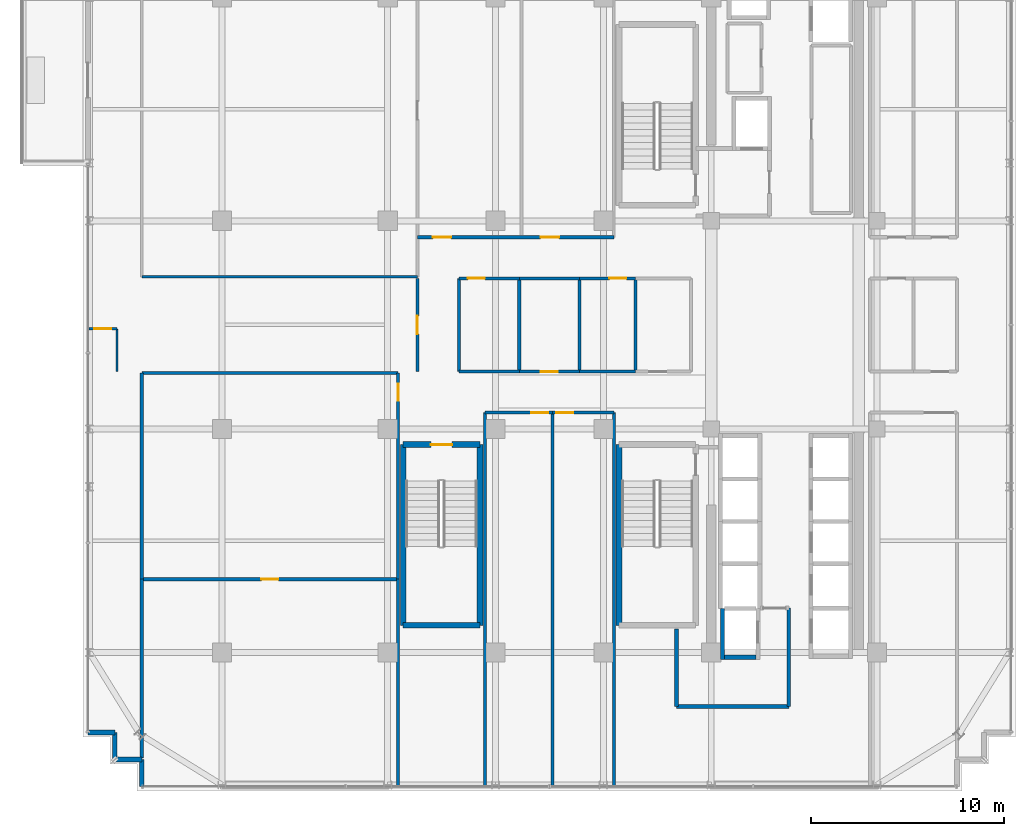
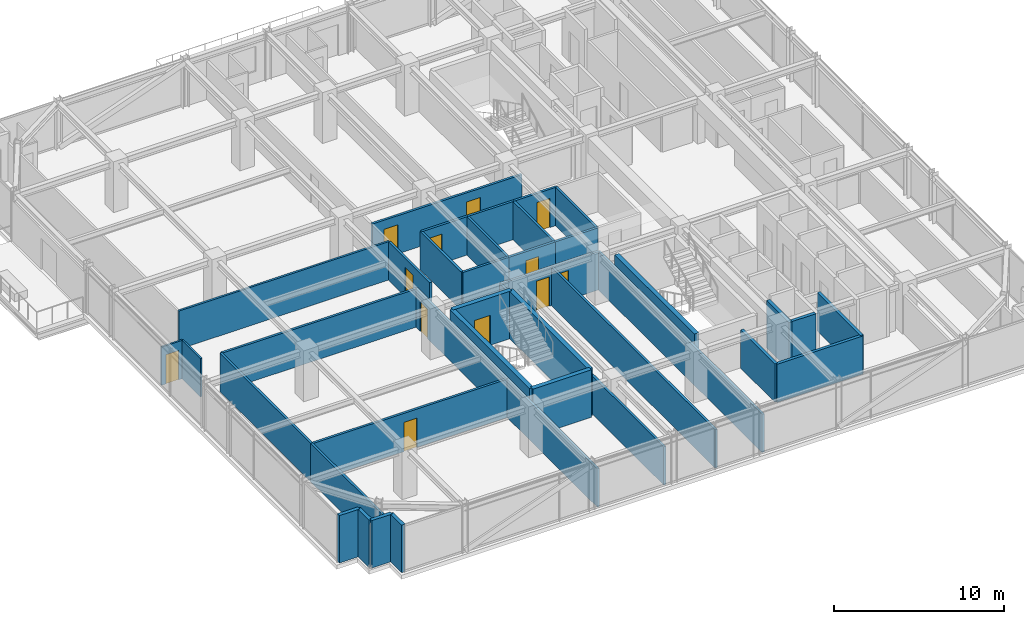
# One storey, part 34 of 41: 40 walls, 12 doors, 12 openings.
"""IFC4 building model written with IfcOpenShell, lengths in metres."""

from ifc_helpers import new_model, si_unit, direction, frame, frame_2d, origin, place, context, subcontext, project, spatial, rectangle, extrude, source, transform, mapped, material, layer, layer_set, type_object, element, fill, save


model = new_model("IFC4")

# Units and contexts
model_context = context("Model", 3, precision=1e-05, world=origin(), true_north=direction((0.0, 1.0)))
body_context = subcontext(model_context, "Body", "Model", "MODEL_VIEW")
ifc_project = project(units=[si_unit("LENGTHUNIT", "METRE"), si_unit("AREAUNIT", "SQUARE_METRE"), si_unit("VOLUMEUNIT", "CUBIC_METRE"), si_unit("PLANEANGLEUNIT", "RADIAN"), si_unit("MASSUNIT", "GRAM", prefix="KILO")], contexts=[model_context])

# Site, building, storey
site_placement = place(None, origin())
site = spatial("IfcSite", under=ifc_project, at=site_placement, CompositionType="ELEMENT")
building_placement = place(site_placement, origin())
building = spatial("IfcBuilding", under=site, at=building_placement, Name="Nahalor Promenade Grand Hotel", CompositionType="ELEMENT")
storey_placement = place(building_placement, frame((0.0, 0.0, 227.10009765625)))
storey = spatial("IfcBuildingStorey", under=building, at=storey_placement, Name="L58", CompositionType="ELEMENT", Elevation=227.10009765625)

# Wall
ifc_material_1 = material(Name="Concrete B-50 (C40/50)", Category="concrete")
ifc_layer_1 = layer(ifc_material_1, 0.300048828125)
ifc_layer_set_1 = layer_set([ifc_layer_1], Name="Concrete B-50 (C40/50)")
wall_type_1 = type_object("IfcWallType", Name="Wall-ShaftShear-300", PredefinedType="SHEAR", material=ifc_layer_set_1)
shared_shape_1 = source(origin(), body_context, "Body", "SweptSolid", [
    extrude(rectangle(XDim=3.97998046875, YDim=0.300048828125, at=frame_2d((1.989990234375, 0.0))), origin(), (0.0, 0.0, 1.0), 3.409912109375),
])
wall_1_placement = place(storey_placement, frame((-7.590087890625, -15.590087890625, 0.0), z_axis=(0.0, 0.0, 1.0), x_axis=(1.0, 0.0, 0.0)))
element("IfcWall", 1, at=wall_1_placement, inside=storey, type_object=wall_type_1, Name="L58 Exit Stair ST3 Shaft Wall S", PredefinedType="SHEAR", context=body_context, shape_type="MappedRepresentation", body=[
    mapped(shared_shape_1, transform((0.0, 0.0, 0.0), scale=1.0)),
])

# Wall, opening, door
wall_2_placement = place(storey_placement, frame((-7.590087890625, -6.2099609375, 0.0), z_axis=(0.0, 0.0, 1.0), x_axis=(1.0, 0.0, 0.0)))
wall_2 = element("IfcWall", 2, at=wall_2_placement, inside=storey, type_object=wall_type_1, Name="L58 Exit Stair ST3 Shaft Wall N", PredefinedType="SHEAR", context=body_context, shape_type="MappedRepresentation", body=[
    mapped(shared_shape_1, transform((0.0, 0.0, 0.0), scale=1.0)),
])
opening_1_placement = place(wall_2_placement, frame((1.43994140625, 0.0, 0.0)))
opening_1 = element("IfcOpeningElement", 3, at=opening_1_placement, cuts=wall_2, Name="Opening D-ST1", PredefinedType="OPENING", context=body_context, shape_type="SweptSolid", body=[
    extrude(rectangle(XDim=1.10009765625, YDim=2.14990234375, at=frame_2d((0.550048828125, 1.074951171875))), frame((0.0, 0.159912109375, 0.0), z_axis=(0.0, -1.0, 0.0), x_axis=(1.0, 0.0, 0.0)), (0.0, 0.0, 1.0), 0.320068359375),
])
ifc_material_2 = material(Name="Steel S355JR", Category="steel")
door_type_1 = type_object("IfcDoorType", Name="Door-StairFire-1100", OperationType="NOTDEFINED", PredefinedType="DOOR", material=ifc_material_2)
shared_shape_2 = source(origin(), body_context, "Body", "SweptSolid", [
    extrude(rectangle(XDim=1.10009765625, YDim=2.14990234375, at=frame_2d((0.550048828125, 1.074951171875))), frame((0.0, 0.02490234375, 0.0), z_axis=(0.0, -1.0, 0.0), x_axis=(1.0, 0.0, 0.0)), (0.0, 0.0, 1.0), 0.050048828125),
])
door_1_placement = place(opening_1_placement, frame((1.10009765625, 0.0, 0.0), z_axis=(0.0, 0.0, 1.0), x_axis=(-1.0, 0.0, 0.0)))
door_1 = element("IfcDoor", 4, at=door_1_placement, inside=storey, type_object=door_type_1, Name="DR-STAIR-ST3-L58", OperationType="SINGLE_SWING_LEFT", OverallHeight=2.14990234375, OverallWidth=1.10009765625, PredefinedType="DOOR", context=body_context, shape_type="MappedRepresentation", body=[
    mapped(shared_shape_2, transform((0.0, 0.0, 0.0), scale=1.0)),
])
fill(opening_1, door_1)

# Walls
shared_shape_3 = source(origin(), body_context, "Body", "SweptSolid", [
    extrude(rectangle(XDim=9.380126953125, YDim=0.300048828125, at=frame_2d((4.68994140625, 0.0))), origin(), (0.0, 0.0, 1.0), 3.409912109375),
])
for number, where, z_axis, x_axis, name in (
    (5, (3.610107421875, -15.590087890625, 0.0), (0.0, 0.0, 1.0), (0.0, 1.0, 0.0), "L58 Exit Stair ST2 Shaft Wall W"),
    (6, (-7.590087890625, -15.590087890625, 0.0), (0.0, 0.0, 1.0), (0.0, 1.0, 0.0), "L58 Exit Stair ST3 Shaft Wall W"),
    (7, (-3.610107421875, -15.590087890625, 0.0), (0.0, 0.0, 1.0), (0.0, 1.0, 0.0), "L58 Exit Stair ST3 Shaft Wall E"),
):
    element("IfcWall", number, at=place(storey_placement, frame(where, z_axis=z_axis, x_axis=x_axis)), inside=storey, type_object=wall_type_1, Name=name, PredefinedType="SHEAR", context=body_context, shape_type="MappedRepresentation", body=[
        mapped(shared_shape_3, transform((0.0, 0.0, 0.0), scale=1.0)),
    ])
ifc_layer_2 = layer(ifc_material_1, 0.219970703125)
ifc_layer_set_2 = layer_set([ifc_layer_2], Name="Concrete B-50 (C40/50)")
wall_type_2 = type_object("IfcWallType", Name="Wall-LiftShaft-220", PredefinedType="SHEAR", material=ifc_layer_set_2)
shared_shape_4 = source(origin(), body_context, "Body", "SweptSolid", [
    extrude(rectangle(XDim=2.635009765625, YDim=0.219970703125, at=frame_2d((1.3173828125, 0.0))), origin(), (0.0, 0.0, 1.0), 3.409912109375),
])
wall_3_placement = place(storey_placement, frame((8.97998046875, -17.360107421875, 0.0), z_axis=(0.0, 0.0, 1.0), x_axis=(0.0, 1.0, 0.0)))
element("IfcWall", 8, at=wall_3_placement, inside=storey, type_object=wall_type_2, Name="L58 Lift FL2 Hoistway Wall W", PredefinedType="SHEAR", context=body_context, shape_type="MappedRepresentation", body=[
    mapped(shared_shape_4, transform((0.0, 0.0, 0.0), scale=1.0)),
])
shared_shape_5 = source(origin(), body_context, "Body", "SweptSolid", [
    extrude(rectangle(XDim=1.619873046875, YDim=0.219970703125, at=frame_2d((0.81005859375, 0.0))), origin(), (0.0, 0.0, 1.0), 3.409912109375),
])
wall_4_placement = place(storey_placement, frame((9.090087890625, -17.25, 0.0), z_axis=(0.0, 0.0, 1.0), x_axis=(1.0, 0.0, 0.0)))
element("IfcWall", 9, at=wall_4_placement, inside=storey, type_object=wall_type_2, Name="L58 Lift FL2 Hoistway Wall S", PredefinedType="SHEAR", context=body_context, shape_type="MappedRepresentation", body=[
    mapped(shared_shape_5, transform((0.0, 0.0, 0.0), scale=1.0)),
])
ifc_material_3 = material(Name="Concrete B-40 (C32/40)", Category="concrete")
ifc_layer_3 = layer(ifc_material_3, 0.25)
ifc_layer_set_3 = layer_set([ifc_layer_3], Name="Concrete B-40 (C32/40)")
wall_type_3 = type_object("IfcWallType", Name="Wall-BronzePier-250", PredefinedType="STANDARD", material=ifc_layer_set_3)
shared_shape_6 = source(origin(), body_context, "Body", "SweptSolid", [
    extrude(rectangle(XDim=1.39990234375, YDim=0.25, at=frame_2d((0.699951171875, 0.0))), origin(), (0.0, 0.0, 1.0), 3.409912109375),
])
for number, where, z_axis, x_axis, name in (
    (10, (-23.9599609375, -21.159912109375, 0.0), (0.0, 0.0, 1.0), (1.0, 0.0, 0.0), "W-L58-SR-13"),
    (11, (-21.159912109375, -23.9599609375, 0.0), (0.0, 0.0, 1.0), (0.0, 1.0, 0.0), "W-L58-SR-16"),
):
    element("IfcWall", number, at=place(storey_placement, frame(where, z_axis=z_axis, x_axis=x_axis)), inside=storey, type_object=wall_type_3, Name=name, PredefinedType="STANDARD", context=body_context, shape_type="MappedRepresentation", body=[
        mapped(shared_shape_6, transform((0.0, 0.0, 0.0), scale=1.0)),
    ])
shared_shape_7 = source(origin(), body_context, "Body", "SweptSolid", [
    extrude(rectangle(XDim=1.400146484375, YDim=0.25, at=frame_2d((0.7001953125, 0.0))), origin(), (0.0, 0.0, 1.0), 3.409912109375),
])
for number, where, z_axis, x_axis, name in (
    (12, (-22.56005859375, -22.56005859375, 0.0), (0.0, 0.0, 1.0), (0.0, 1.0, 0.0), "W-L58-SR-14"),
    (13, (-22.56005859375, -22.56005859375, 0.0), (0.0, 0.0, 1.0), (1.0, 0.0, 0.0), "W-L58-SR-15"),
):
    element("IfcWall", number, at=place(storey_placement, frame(where, z_axis=z_axis, x_axis=x_axis)), inside=storey, type_object=wall_type_3, Name=name, PredefinedType="STANDARD", context=body_context, shape_type="MappedRepresentation", body=[
        mapped(shared_shape_7, transform((0.0, 0.0, 0.0), scale=1.0)),
    ])
ifc_layer_4 = layer(ifc_material_3, 0.199951171875)
ifc_layer_set_4 = layer_set([ifc_layer_4], Name="Concrete B-40 (C32/40)")
wall_type_4 = type_object("IfcWallType", Name="Wall-PartFire-200", PredefinedType="PARTITIONING", material=ifc_layer_set_4)
shared_shape_8 = source(origin(), body_context, "Body", "SweptSolid", [
    extrude(rectangle(XDim=5.81982421875, YDim=0.199951171875, at=frame_2d((2.909912109375, 0.0))), origin(), (0.0, 0.0, 1.0), 2.75),
])
wall_5_placement = place(storey_placement, frame((6.60009765625, -19.800048828125, 0.0), z_axis=(0.0, 0.0, 1.0), x_axis=(1.0, 0.0, 0.0)))
element("IfcWall", 14, at=wall_5_placement, inside=storey, type_object=wall_type_4, Name="W-L58-FF2-S1", PredefinedType="PARTITIONING", context=body_context, shape_type="MappedRepresentation", body=[
    mapped(shared_shape_8, transform((0.0, 0.0, 0.0), scale=1.0)),
])
shared_shape_9 = source(origin(), body_context, "Body", "SweptSolid", [
    extrude(rectangle(XDim=4.030029296875, YDim=0.199951171875, at=frame_2d((2.01513671875, 0.0))), origin(), (0.0, 0.0, 1.0), 2.75),
])
wall_6_placement = place(storey_placement, frame((6.60009765625, -19.800048828125, 0.0), z_axis=(0.0, 0.0, 1.0), x_axis=(0.0, 1.0, 0.0)))
element("IfcWall", 15, at=wall_6_placement, inside=storey, type_object=wall_type_4, Name="W-L58-FF2-W1", PredefinedType="PARTITIONING", context=body_context, shape_type="MappedRepresentation", body=[
    mapped(shared_shape_9, transform((0.0, 0.0, 0.0), scale=1.0)),
])
shared_shape_10 = source(origin(), body_context, "Body", "SweptSolid", [
    extrude(rectangle(XDim=5.10009765625, YDim=0.199951171875, at=frame_2d((2.550048828125, 0.0))), origin(), (0.0, 0.0, 1.0), 2.75),
])
wall_7_placement = place(storey_placement, frame((12.419921875, -19.800048828125, 0.0), z_axis=(0.0, 0.0, 1.0), x_axis=(0.0, 1.0, 0.0)))
element("IfcWall", 16, at=wall_7_placement, inside=storey, type_object=wall_type_4, Name="W-L58-FF2-E", PredefinedType="PARTITIONING", context=body_context, shape_type="MappedRepresentation", body=[
    mapped(shared_shape_10, transform((0.0, 0.0, 0.0), scale=1.0)),
])
ifc_material_4 = material(Name="Acoustic Mineral Gypsum", Category="gypsum")
ifc_layer_5 = layer(ifc_material_4, 0.159912109375)
ifc_layer_set_5 = layer_set([ifc_layer_5], Name="Acoustic Mineral Gypsum")
wall_type_5 = type_object("IfcWallType", Name="Wall-PartCorridor-160", PredefinedType="PARTITIONING", material=ifc_layer_set_5)
shared_shape_11 = source(origin(), body_context, "Body", "SweptSolid", [
    extrude(rectangle(XDim=19.349853515625, YDim=0.159912109375, at=frame_2d((9.6748046875, 0.0))), origin(), (0.0, 0.0, 1.0), 2.75),
])
for number, where, z_axis, x_axis, name in (
    (17, (-3.340087890625, -23.89990234375, 0.0), (0.0, 0.0, 1.0), (0.0, 1.0, 0.0), "W-L58-SCB1-W"),
    (18, (0.14990234375, -23.89990234375, 0.0), (0.0, 0.0, 1.0), (0.0, 1.0, 0.0), "W-L58-SCB1-E"),
    (19, (3.340087890625, -23.89990234375, 0.0), (0.0, 0.0, 1.0), (0.0, 1.0, 0.0), "W-L58-SCB2-E"),
):
    element("IfcWall", number, at=place(storey_placement, frame(where, z_axis=z_axis, x_axis=x_axis)), inside=storey, type_object=wall_type_5, Name=name, PredefinedType="PARTITIONING", context=body_context, shape_type="MappedRepresentation", body=[
        mapped(shared_shape_11, transform((0.0, 0.0, 0.0), scale=1.0)),
    ])

# Wall, opening, door
ifc_layer_6 = layer(ifc_material_4, 0.1201171875)
ifc_layer_set_6 = layer_set([ifc_layer_6], Name="Acoustic Mineral Gypsum")
wall_type_6 = type_object("IfcWallType", Name="Wall-PartBath-120", PredefinedType="PARTITIONING", material=ifc_layer_set_6)
shared_shape_12 = source(origin(), body_context, "Body", "SweptSolid", [
    extrude(rectangle(XDim=1.449951171875, YDim=0.1201171875, at=frame_2d((0.72509765625, 0.0))), origin(), (0.0, 0.0, 1.0), 2.75),
])
wall_8_placement = place(storey_placement, frame((-23.89990234375, -0.199951171875, 0.0), z_axis=(0.0, 0.0, 1.0), x_axis=(1.0, 0.0, 0.0)))
wall_8 = element("IfcWall", 20, at=wall_8_placement, inside=storey, type_object=wall_type_6, Name="W-L58-W1-BH", PredefinedType="PARTITIONING", context=body_context, shape_type="MappedRepresentation", body=[
    mapped(shared_shape_12, transform((0.0, 0.0, 0.0), scale=1.0)),
])
opening_2_placement = place(wall_8_placement, frame((0.284912109375, 0.0, 0.0)))
opening_2 = element("IfcOpeningElement", 21, at=opening_2_placement, cuts=wall_8, Name="Opening D-03", PredefinedType="OPENING", context=body_context, shape_type="SweptSolid", body=[
    extrude(rectangle(XDim=0.8798828125, YDim=2.10009765625, at=frame_2d((0.43994140625, 1.050048828125))), frame((0.0, 0.070068359375, 0.0), z_axis=(0.0, -1.0, 0.0), x_axis=(1.0, 0.0, 0.0)), (0.0, 0.0, 1.0), 0.14013671875),
])
ifc_material_5 = material(Name="Fire-Rated Timber Composite", Category="wood")
door_type_2 = type_object("IfcDoorType", Name="Door-BathSwing-880", OperationType="NOTDEFINED", PredefinedType="DOOR", material=ifc_material_5)
shared_shape_13 = source(origin(), body_context, "Body", "SweptSolid", [
    extrude(rectangle(XDim=0.8798828125, YDim=2.10009765625, at=frame_2d((0.43994140625, 1.050048828125))), frame((0.0, 0.02490234375, 0.0), z_axis=(0.0, -1.0, 0.0), x_axis=(1.0, 0.0, 0.0)), (0.0, 0.0, 1.0), 0.050048828125),
])
door_2_placement = place(opening_2_placement, frame((0.8798828125, 0.0, 0.0), z_axis=(0.0, 0.0, 1.0), x_axis=(-1.0, 0.0, 0.0)))
door_2 = element("IfcDoor", 22, at=door_2_placement, inside=storey, type_object=door_type_2, Name="DR-L58-W1-BATH", OperationType="SINGLE_SWING_RIGHT", OverallHeight=2.10009765625, OverallWidth=0.8798828125, PredefinedType="DOOR", context=body_context, shape_type="MappedRepresentation", body=[
    mapped(shared_shape_13, transform((0.0, 0.0, 0.0), scale=1.0)),
])
fill(opening_2, door_2)

# Wall
shared_shape_14 = source(origin(), body_context, "Body", "SweptSolid", [
    extrude(rectangle(XDim=2.219970703125, YDim=0.1201171875, at=frame_2d((1.10986328125, 0.0))), origin(), (0.0, 0.0, 1.0), 2.75),
])
wall_9_placement = place(storey_placement, frame((-22.449951171875, -2.419921875, 0.0), z_axis=(0.0, 0.0, 1.0), x_axis=(0.0, 1.0, 0.0)))
element("IfcWall", 23, at=wall_9_placement, inside=storey, type_object=wall_type_6, Name="W-L58-W1-BV", PredefinedType="PARTITIONING", context=body_context, shape_type="MappedRepresentation", body=[
    mapped(shared_shape_14, transform((0.0, 0.0, 0.0), scale=1.0)),
])

# Wall, opening, door
shared_shape_15 = source(origin(), body_context, "Body", "SweptSolid", [
    extrude(rectangle(XDim=3.489990234375, YDim=0.159912109375, at=frame_2d((1.7451171875, 0.0))), origin(), (0.0, 0.0, 1.0), 2.75),
])
wall_10_placement = place(storey_placement, frame((-3.340087890625, -4.550048828125, 0.0), z_axis=(0.0, 0.0, 1.0), x_axis=(1.0, 0.0, 0.0)))
wall_10 = element("IfcWall", 24, at=wall_10_placement, inside=storey, type_object=wall_type_5, Name="W-L58-SCB1-N", PredefinedType="PARTITIONING", context=body_context, shape_type="MappedRepresentation", body=[
    mapped(shared_shape_15, transform((0.0, 0.0, 0.0), scale=1.0)),
])
opening_3_placement = place(wall_10_placement, frame((2.39990234375, 0.0, 0.0)))
opening_3 = element("IfcOpeningElement", 25, at=opening_3_placement, cuts=wall_10, Name="Opening D-03", PredefinedType="OPENING", context=body_context, shape_type="SweptSolid", body=[
    extrude(rectangle(XDim=0.8798828125, YDim=2.10009765625, at=frame_2d((0.43994140625, 1.050048828125))), frame((0.0, 0.08984375, 0.0), z_axis=(0.0, -1.0, 0.0), x_axis=(1.0, 0.0, 0.0)), (0.0, 0.0, 1.0), 0.179931640625),
])
door_3_placement = place(opening_3_placement, frame((0.8798828125, 0.0, 0.0), z_axis=(0.0, 0.0, 1.0), x_axis=(-1.0, 0.0, 0.0)))
door_3 = element("IfcDoor", 26, at=door_3_placement, inside=storey, type_object=door_type_2, Name="DR-L58-SCB1", OperationType="SINGLE_SWING_RIGHT", OverallHeight=2.10009765625, OverallWidth=0.8798828125, PredefinedType="DOOR", context=body_context, shape_type="MappedRepresentation", body=[
    mapped(shared_shape_13, transform((0.0, 0.0, 0.0), scale=1.0)),
])
fill(opening_3, door_3)

shared_shape_16 = source(origin(), body_context, "Body", "SweptSolid", [
    extrude(rectangle(XDim=3.190185546875, YDim=0.159912109375, at=frame_2d((1.59521484375, 0.0))), origin(), (0.0, 0.0, 1.0), 2.75),
])
wall_11_placement = place(storey_placement, frame((0.14990234375, -4.550048828125, 0.0), z_axis=(0.0, 0.0, 1.0), x_axis=(1.0, 0.0, 0.0)))
wall_11 = element("IfcWall", 27, at=wall_11_placement, inside=storey, type_object=wall_type_5, Name="W-L58-SCB2-N", PredefinedType="PARTITIONING", context=body_context, shape_type="MappedRepresentation", body=[
    mapped(shared_shape_16, transform((0.0, 0.0, 0.0), scale=1.0)),
])
opening_4_placement = place(wall_11_placement, frame((0.2099609375, 0.0, 0.0)))
opening_4 = element("IfcOpeningElement", 28, at=opening_4_placement, cuts=wall_11, Name="Opening D-03", PredefinedType="OPENING", context=body_context, shape_type="SweptSolid", body=[
    extrude(rectangle(XDim=0.8798828125, YDim=2.10009765625, at=frame_2d((0.43994140625, 1.050048828125))), frame((0.0, 0.08984375, 0.0), z_axis=(0.0, -1.0, 0.0), x_axis=(1.0, 0.0, 0.0)), (0.0, 0.0, 1.0), 0.179931640625),
])
door_4_placement = place(opening_4_placement, frame((0.8798828125, 0.0, 0.0), z_axis=(0.0, 0.0, 1.0), x_axis=(-1.0, 0.0, 0.0)))
door_4 = element("IfcDoor", 29, at=door_4_placement, inside=storey, type_object=door_type_2, Name="DR-L58-SCB2", OperationType="SINGLE_SWING_LEFT", OverallHeight=2.10009765625, OverallWidth=0.8798828125, PredefinedType="DOOR", context=body_context, shape_type="MappedRepresentation", body=[
    mapped(shared_shape_13, transform((0.0, 0.0, 0.0), scale=1.0)),
])
fill(opening_4, door_4)

shared_shape_17 = source(origin(), body_context, "Body", "SweptSolid", [
    extrude(rectangle(XDim=4.83984375, YDim=0.159912109375, at=frame_2d((2.419921875, 0.0))), origin(), (0.0, 0.0, 1.0), 2.75),
])
wall_12_placement = place(storey_placement, frame((-6.85009765625, -2.419921875, 0.0), z_axis=(0.0, 0.0, 1.0), x_axis=(0.0, 1.0, 0.0)))
wall_12 = element("IfcWall", 30, at=wall_12_placement, inside=storey, type_object=wall_type_5, Name="W-L58-WEST-E", PredefinedType="PARTITIONING", context=body_context, shape_type="MappedRepresentation", body=[
    mapped(shared_shape_17, transform((0.0, 0.0, 0.0), scale=1.0)),
])
opening_5_placement = place(wall_12_placement, frame((1.945068359375, 0.0, 0.0)))
opening_5 = element("IfcOpeningElement", 31, at=opening_5_placement, cuts=wall_12, Name="Opening D-01", PredefinedType="OPENING", context=body_context, shape_type="SweptSolid", body=[
    extrude(rectangle(XDim=0.949951171875, YDim=2.10009765625, at=frame_2d((0.47509765625, 1.050048828125))), frame((0.0, 0.08984375, 0.0), z_axis=(0.0, -1.0, 0.0), x_axis=(1.0, 0.0, 0.0)), (0.0, 0.0, 1.0), 0.179931640625),
])
door_type_3 = type_object("IfcDoorType", Name="Door-GuestEntry-950", OperationType="NOTDEFINED", PredefinedType="DOOR", material=ifc_material_5)
shared_shape_18 = source(origin(), body_context, "Body", "SweptSolid", [
    extrude(rectangle(XDim=0.949951171875, YDim=2.10009765625, at=frame_2d((0.47509765625, 1.050048828125))), frame((0.0, 0.02490234375, 0.0), z_axis=(0.0, -1.0, 0.0), x_axis=(1.0, 0.0, 0.0)), (0.0, 0.0, 1.0), 0.050048828125),
])
door_5_placement = place(opening_5_placement, origin())
door_5 = element("IfcDoor", 32, at=door_5_placement, inside=storey, type_object=door_type_3, Name="DR-L58-W1-ENT", OperationType="SINGLE_SWING_LEFT", OverallHeight=2.10009765625, OverallWidth=0.949951171875, PredefinedType="DOOR", context=body_context, shape_type="MappedRepresentation", body=[
    mapped(shared_shape_18, transform((0.0, 0.0, 0.0), scale=1.0)),
])
fill(opening_5, door_5)

# Walls
for number, where, z_axis, x_axis, name in (
    (33, (-4.699951171875, -2.419921875, 0.0), (0.0, 0.0, 1.0), (0.0, 1.0, 0.0), "W-L58-CM1-W"),
    (34, (-1.56689453125, -2.419921875, 0.0), (0.0, 0.0, 1.0), (0.0, 1.0, 0.0), "W-L58-CM1-E"),
    (35, (1.56591796875, -2.419921875, 0.0), (0.0, 0.0, 1.0), (0.0, 1.0, 0.0), "W-L58-CM2-E"),
    (36, (4.4580078125, -2.419921875, 0.0), (0.0, 0.0, 1.0), (0.0, 1.0, 0.0), "W-L58-CM3-E"),
):
    element("IfcWall", number, at=place(storey_placement, frame(where, z_axis=z_axis, x_axis=x_axis)), inside=storey, type_object=wall_type_5, Name=name, PredefinedType="PARTITIONING", context=body_context, shape_type="MappedRepresentation", body=[
        mapped(shared_shape_17, transform((0.0, 0.0, 0.0), scale=1.0)),
    ])
shared_shape_19 = source(origin(), body_context, "Body", "SweptSolid", [
    extrude(rectangle(XDim=10.699951171875, YDim=0.159912109375, at=frame_2d((5.35009765625, 0.0))), origin(), (0.0, 0.0, 1.0), 2.75),
])
for number, where, z_axis, x_axis, name in (
    (37, (-7.860107421875, -23.89990234375, 0.0), (0.0, 0.0, 1.0), (0.0, 1.0, 0.0), "W-L58-SW0A-E"),
    (38, (-21.159912109375, -13.199951171875, 0.0), (0.0, 0.0, 1.0), (0.0, 1.0, 0.0), "W-L58-SW0B-W"),
):
    element("IfcWall", number, at=place(storey_placement, frame(where, z_axis=z_axis, x_axis=x_axis)), inside=storey, type_object=wall_type_5, Name=name, PredefinedType="PARTITIONING", context=body_context, shape_type="MappedRepresentation", body=[
        mapped(shared_shape_19, transform((0.0, 0.0, 0.0), scale=1.0)),
    ])

# Wall, opening, door
wall_13_placement = place(storey_placement, frame((-7.860107421875, -13.199951171875, 0.0), z_axis=(0.0, 0.0, 1.0), x_axis=(0.0, 1.0, 0.0)))
wall_13 = element("IfcWall", 39, at=wall_13_placement, inside=storey, type_object=wall_type_5, Name="W-L58-SW0B-E", PredefinedType="PARTITIONING", context=body_context, shape_type="MappedRepresentation", body=[
    mapped(shared_shape_19, transform((0.0, 0.0, 0.0), scale=1.0)),
])
opening_6_placement = place(wall_13_placement, frame((9.260009765625, 0.0, 0.0)))
opening_6 = element("IfcOpeningElement", 40, at=opening_6_placement, cuts=wall_13, Name="Opening D-03", PredefinedType="OPENING", context=body_context, shape_type="SweptSolid", body=[
    extrude(rectangle(XDim=0.8798828125, YDim=2.10009765625, at=frame_2d((0.43994140625, 1.050048828125))), frame((0.0, 0.08984375, 0.0), z_axis=(0.0, -1.0, 0.0), x_axis=(1.0, 0.0, 0.0)), (0.0, 0.0, 1.0), 0.179931640625),
])
door_6_placement = place(opening_6_placement, origin())
door_6 = element("IfcDoor", 41, at=door_6_placement, inside=storey, type_object=door_type_2, Name="DR-L58-SW0B", OperationType="SINGLE_SWING_LEFT", OverallHeight=2.10009765625, OverallWidth=0.8798828125, PredefinedType="DOOR", context=body_context, shape_type="MappedRepresentation", body=[
    mapped(shared_shape_13, transform((0.0, 0.0, 0.0), scale=1.0)),
])
fill(opening_6, door_6)

# Wall
shared_shape_20 = source(origin(), body_context, "Body", "SweptSolid", [
    extrude(rectangle(XDim=9.280029296875, YDim=0.159912109375, at=frame_2d((4.64013671875, 0.0))), origin(), (0.0, 0.0, 1.0), 2.75),
])
wall_14_placement = place(storey_placement, frame((-21.159912109375, -22.47998046875, 0.0), z_axis=(0.0, 0.0, 1.0), x_axis=(0.0, 1.0, 0.0)))
element("IfcWall", 42, at=wall_14_placement, inside=storey, type_object=wall_type_5, Name="W-L58-SW0A-W", PredefinedType="PARTITIONING", context=body_context, shape_type="MappedRepresentation", body=[
    mapped(shared_shape_20, transform((0.0, 0.0, 0.0), scale=1.0)),
])

# Wall, openings, doors
shared_shape_21 = source(origin(), body_context, "Body", "SweptSolid", [
    extrude(rectangle(XDim=10.190185546875, YDim=0.159912109375, at=frame_2d((5.09521484375, 0.0))), origin(), (0.0, 0.0, 1.0), 2.75),
])
wall_15_placement = place(storey_placement, frame((-6.85009765625, 4.550048828125, 0.0), z_axis=(0.0, 0.0, 1.0), x_axis=(1.0, 0.0, 0.0)))
wall_15 = element("IfcWall", 43, at=wall_15_placement, inside=storey, type_object=wall_type_5, Name="W-L58-CORR-N", PredefinedType="PARTITIONING", context=body_context, shape_type="MappedRepresentation", body=[
    mapped(shared_shape_21, transform((0.0, 0.0, 0.0), scale=1.0)),
])
opening_7_placement = place(wall_15_placement, frame((0.801025390625, 0.0, 0.0)))
opening_7 = element("IfcOpeningElement", 44, at=opening_7_placement, cuts=wall_15, Name="Opening D-01", PredefinedType="OPENING", context=body_context, shape_type="SweptSolid", body=[
    extrude(rectangle(XDim=0.949951171875, YDim=2.10009765625, at=frame_2d((0.47509765625, 1.050048828125))), frame((0.0, 0.08984375, 0.0), z_axis=(0.0, -1.0, 0.0), x_axis=(1.0, 0.0, 0.0)), (0.0, 0.0, 1.0), 0.179931640625),
])
opening_8_placement = place(wall_15_placement, frame((6.39794921875, 0.0, 0.0)))
opening_8 = element("IfcOpeningElement", 45, at=opening_8_placement, cuts=wall_15, Name="Opening D-01", PredefinedType="OPENING", context=body_context, shape_type="SweptSolid", body=[
    extrude(rectangle(XDim=0.949951171875, YDim=2.10009765625, at=frame_2d((0.47509765625, 1.050048828125))), frame((0.0, 0.08984375, 0.0), z_axis=(0.0, -1.0, 0.0), x_axis=(1.0, 0.0, 0.0)), (0.0, 0.0, 1.0), 0.179931640625),
])
door_7_placement = place(opening_7_placement, origin())
door_7 = element("IfcDoor", 46, at=door_7_placement, inside=storey, type_object=door_type_3, Name="DR-L58-N1-ENT", OperationType="SINGLE_SWING_LEFT", OverallHeight=2.10009765625, OverallWidth=0.949951171875, PredefinedType="DOOR", context=body_context, shape_type="MappedRepresentation", body=[
    mapped(shared_shape_18, transform((0.0, 0.0, 0.0), scale=1.0)),
])
fill(opening_7, door_7)
door_8_placement = place(opening_8_placement, origin())
door_8 = element("IfcDoor", 47, at=door_8_placement, inside=storey, type_object=door_type_3, Name="DR-L58-N2-ENT", OperationType="SINGLE_SWING_LEFT", OverallHeight=2.10009765625, OverallWidth=0.949951171875, PredefinedType="DOOR", context=body_context, shape_type="MappedRepresentation", body=[
    mapped(shared_shape_18, transform((0.0, 0.0, 0.0), scale=1.0)),
])
fill(opening_8, door_8)

# Wall
ifc_layer_7 = layer(ifc_material_4, 0.139892578125)
ifc_layer_set_7 = layer_set([ifc_layer_7], Name="Acoustic Mineral Gypsum")
wall_type_7 = type_object("IfcWallType", Name="Wall-PartSuite-140", PredefinedType="PARTITIONING", material=ifc_layer_set_7)
shared_shape_22 = source(origin(), body_context, "Body", "SweptSolid", [
    extrude(rectangle(XDim=14.309814453125, YDim=0.139892578125, at=frame_2d((7.15478515625, 0.0))), origin(), (0.0, 0.0, 1.0), 2.75),
])
wall_16_placement = place(storey_placement, frame((-21.159912109375, 2.5, 0.0), z_axis=(0.0, 0.0, 1.0), x_axis=(1.0, 0.0, 0.0)))
element("IfcWall", 48, at=wall_16_placement, inside=storey, type_object=wall_type_7, Name="W-L58-ZNW-S", PredefinedType="PARTITIONING", context=body_context, shape_type="MappedRepresentation", body=[
    mapped(shared_shape_22, transform((0.0, 0.0, 0.0), scale=1.0)),
])

# Wall, opening, door
shared_shape_23 = source(origin(), body_context, "Body", "SweptSolid", [
    extrude(rectangle(XDim=13.2998046875, YDim=0.159912109375, at=frame_2d((6.64990234375, 0.0))), origin(), (0.0, 0.0, 1.0), 2.75),
])
wall_17_placement = place(storey_placement, frame((-21.159912109375, -13.199951171875, 0.0), z_axis=(0.0, 0.0, 1.0), x_axis=(1.0, 0.0, 0.0)))
wall_17 = element("IfcWall", 49, at=wall_17_placement, inside=storey, type_object=wall_type_5, Name="W-L58-SW0A-N", PredefinedType="PARTITIONING", context=body_context, shape_type="MappedRepresentation", body=[
    mapped(shared_shape_23, transform((0.0, 0.0, 0.0), scale=1.0)),
])
opening_9_placement = place(wall_17_placement, frame((6.2099609375, 0.0, 0.0)))
opening_9 = element("IfcOpeningElement", 50, at=opening_9_placement, cuts=wall_17, Name="Opening D-03", PredefinedType="OPENING", context=body_context, shape_type="SweptSolid", body=[
    extrude(rectangle(XDim=0.8798828125, YDim=2.10009765625, at=frame_2d((0.43994140625, 1.050048828125))), frame((0.0, 0.08984375, 0.0), z_axis=(0.0, -1.0, 0.0), x_axis=(1.0, 0.0, 0.0)), (0.0, 0.0, 1.0), 0.179931640625),
])
door_9_placement = place(opening_9_placement, frame((0.8798828125, 0.0, 0.0), z_axis=(0.0, 0.0, 1.0), x_axis=(-1.0, 0.0, 0.0)))
door_9 = element("IfcDoor", 51, at=door_9_placement, inside=storey, type_object=door_type_2, Name="DR-L58-SW0A", OperationType="SINGLE_SWING_RIGHT", OverallHeight=2.10009765625, OverallWidth=0.8798828125, PredefinedType="DOOR", context=body_context, shape_type="MappedRepresentation", body=[
    mapped(shared_shape_13, transform((0.0, 0.0, 0.0), scale=1.0)),
])
fill(opening_9, door_9)

# Walls
wall_18_placement = place(storey_placement, frame((-21.159912109375, -2.5, 0.0), z_axis=(0.0, 0.0, 1.0), x_axis=(1.0, 0.0, 0.0)))
element("IfcWall", 52, at=wall_18_placement, inside=storey, type_object=wall_type_5, Name="W-L58-SW0B-N", PredefinedType="PARTITIONING", context=body_context, shape_type="MappedRepresentation", body=[
    mapped(shared_shape_23, transform((0.0, 0.0, 0.0), scale=1.0)),
])
shared_shape_24 = source(origin(), body_context, "Body", "SweptSolid", [
    extrude(rectangle(XDim=3.133056640625, YDim=0.159912109375, at=frame_2d((1.56640625, 0.0))), origin(), (0.0, 0.0, 1.0), 2.75),
])
wall_19_placement = place(storey_placement, frame((-4.699951171875, -2.419921875, 0.0), z_axis=(0.0, 0.0, 1.0), x_axis=(1.0, 0.0, 0.0)))
element("IfcWall", 53, at=wall_19_placement, inside=storey, type_object=wall_type_5, Name="W-L58-CM1-S", PredefinedType="PARTITIONING", context=body_context, shape_type="MappedRepresentation", body=[
    mapped(shared_shape_24, transform((0.0, 0.0, 0.0), scale=1.0)),
])

# Wall, opening, door
wall_20_placement = place(storey_placement, frame((-4.699951171875, 2.419921875, 0.0), z_axis=(0.0, 0.0, 1.0), x_axis=(1.0, 0.0, 0.0)))
wall_20 = element("IfcWall", 54, at=wall_20_placement, inside=storey, type_object=wall_type_5, Name="W-L58-CM1-N", PredefinedType="PARTITIONING", context=body_context, shape_type="MappedRepresentation", body=[
    mapped(shared_shape_24, transform((0.0, 0.0, 0.0), scale=1.0)),
])
opening_10_placement = place(wall_20_placement, frame((0.469970703125, 0.0, 0.0)))
opening_10 = element("IfcOpeningElement", 55, at=opening_10_placement, cuts=wall_20, Name="Opening D-03", PredefinedType="OPENING", context=body_context, shape_type="SweptSolid", body=[
    extrude(rectangle(XDim=0.8798828125, YDim=2.10009765625, at=frame_2d((0.43994140625, 1.050048828125))), frame((0.0, 0.08984375, 0.0), z_axis=(0.0, -1.0, 0.0), x_axis=(1.0, 0.0, 0.0)), (0.0, 0.0, 1.0), 0.179931640625),
])
door_10_placement = place(opening_10_placement, frame((0.8798828125, 0.0, 0.0), z_axis=(0.0, 0.0, 1.0), x_axis=(-1.0, 0.0, 0.0)))
door_10 = element("IfcDoor", 56, at=door_10_placement, inside=storey, type_object=door_type_2, Name="DR-L58-CM1", OperationType="SINGLE_SWING_RIGHT", OverallHeight=2.10009765625, OverallWidth=0.8798828125, PredefinedType="DOOR", context=body_context, shape_type="MappedRepresentation", body=[
    mapped(shared_shape_13, transform((0.0, 0.0, 0.0), scale=1.0)),
])
fill(opening_10, door_10)

shared_shape_25 = source(origin(), body_context, "Body", "SweptSolid", [
    extrude(rectangle(XDim=3.1328125, YDim=0.159912109375, at=frame_2d((1.56640625, 0.0))), origin(), (0.0, 0.0, 1.0), 2.75),
])
wall_21_placement = place(storey_placement, frame((-1.56689453125, -2.419921875, 0.0), z_axis=(0.0, 0.0, 1.0), x_axis=(1.0, 0.0, 0.0)))
wall_21 = element("IfcWall", 57, at=wall_21_placement, inside=storey, type_object=wall_type_5, Name="W-L58-CM2-S", PredefinedType="PARTITIONING", context=body_context, shape_type="MappedRepresentation", body=[
    mapped(shared_shape_25, transform((0.0, 0.0, 0.0), scale=1.0)),
])
opening_11_placement = place(wall_21_placement, frame((1.126953125, 0.0, 0.0)))
opening_11 = element("IfcOpeningElement", 58, at=opening_11_placement, cuts=wall_21, Name="Opening D-03", PredefinedType="OPENING", context=body_context, shape_type="SweptSolid", body=[
    extrude(rectangle(XDim=0.8798828125, YDim=2.10009765625, at=frame_2d((0.43994140625, 1.050048828125))), frame((0.0, 0.08984375, 0.0), z_axis=(0.0, -1.0, 0.0), x_axis=(1.0, 0.0, 0.0)), (0.0, 0.0, 1.0), 0.179931640625),
])
door_11_placement = place(opening_11_placement, origin())
door_11 = element("IfcDoor", 59, at=door_11_placement, inside=storey, type_object=door_type_2, Name="DR-L58-CM2", OperationType="SINGLE_SWING_LEFT", OverallHeight=2.10009765625, OverallWidth=0.8798828125, PredefinedType="DOOR", context=body_context, shape_type="MappedRepresentation", body=[
    mapped(shared_shape_13, transform((0.0, 0.0, 0.0), scale=1.0)),
])
fill(opening_11, door_11)

# Walls
wall_22_placement = place(storey_placement, frame((-1.56689453125, 2.419921875, 0.0), z_axis=(0.0, 0.0, 1.0), x_axis=(1.0, 0.0, 0.0)))
element("IfcWall", 60, at=wall_22_placement, inside=storey, type_object=wall_type_5, Name="W-L58-CM2-N", PredefinedType="PARTITIONING", context=body_context, shape_type="MappedRepresentation", body=[
    mapped(shared_shape_25, transform((0.0, 0.0, 0.0), scale=1.0)),
])
shared_shape_26 = source(origin(), body_context, "Body", "SweptSolid", [
    extrude(rectangle(XDim=2.89208984375, YDim=0.159912109375, at=frame_2d((1.446044921875, 0.0))), origin(), (0.0, 0.0, 1.0), 2.75),
])
wall_23_placement = place(storey_placement, frame((1.56591796875, -2.419921875, 0.0), z_axis=(0.0, 0.0, 1.0), x_axis=(1.0, 0.0, 0.0)))
element("IfcWall", 61, at=wall_23_placement, inside=storey, type_object=wall_type_5, Name="W-L58-CM3-S", PredefinedType="PARTITIONING", context=body_context, shape_type="MappedRepresentation", body=[
    mapped(shared_shape_26, transform((0.0, 0.0, 0.0), scale=1.0)),
])

# Wall, opening, door
wall_24_placement = place(storey_placement, frame((1.56591796875, 2.419921875, 0.0), z_axis=(0.0, 0.0, 1.0), x_axis=(1.0, 0.0, 0.0)))
wall_24 = element("IfcWall", 62, at=wall_24_placement, inside=storey, type_object=wall_type_5, Name="W-L58-CM3-N", PredefinedType="PARTITIONING", context=body_context, shape_type="MappedRepresentation", body=[
    mapped(shared_shape_26, transform((0.0, 0.0, 0.0), scale=1.0)),
])
opening_12_placement = place(wall_24_placement, frame((1.547119140625, 0.0, 0.0)))
opening_12 = element("IfcOpeningElement", 63, at=opening_12_placement, cuts=wall_24, Name="Opening D-03", PredefinedType="OPENING", context=body_context, shape_type="SweptSolid", body=[
    extrude(rectangle(XDim=0.8798828125, YDim=2.10009765625, at=frame_2d((0.43994140625, 1.050048828125))), frame((0.0, 0.08984375, 0.0), z_axis=(0.0, -1.0, 0.0), x_axis=(1.0, 0.0, 0.0)), (0.0, 0.0, 1.0), 0.179931640625),
])
door_12_placement = place(opening_12_placement, frame((0.8798828125, 0.0, 0.0), z_axis=(0.0, 0.0, 1.0), x_axis=(-1.0, 0.0, 0.0)))
door_12 = element("IfcDoor", 64, at=door_12_placement, inside=storey, type_object=door_type_2, Name="DR-L58-CM3", OperationType="SINGLE_SWING_RIGHT", OverallHeight=2.10009765625, OverallWidth=0.8798828125, PredefinedType="DOOR", context=body_context, shape_type="MappedRepresentation", body=[
    mapped(shared_shape_13, transform((0.0, 0.0, 0.0), scale=1.0)),
])
fill(opening_12, door_12)

save(model, "model.ifc")
